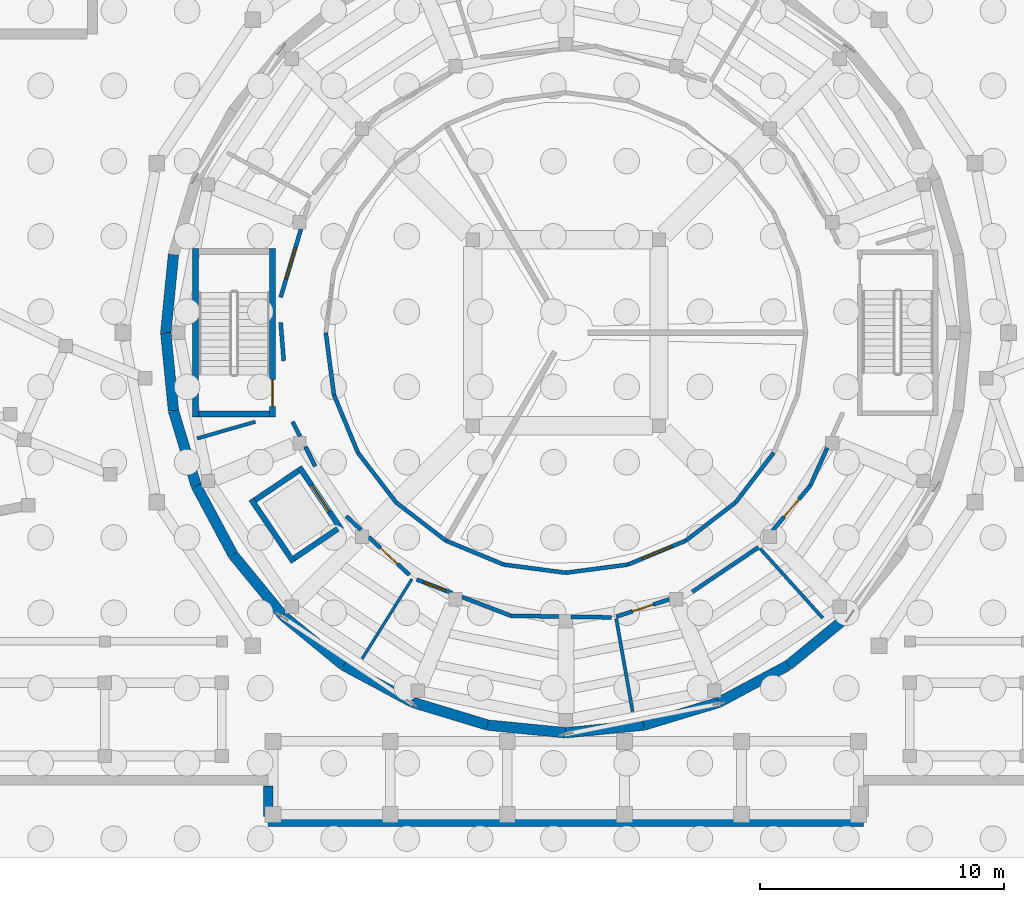
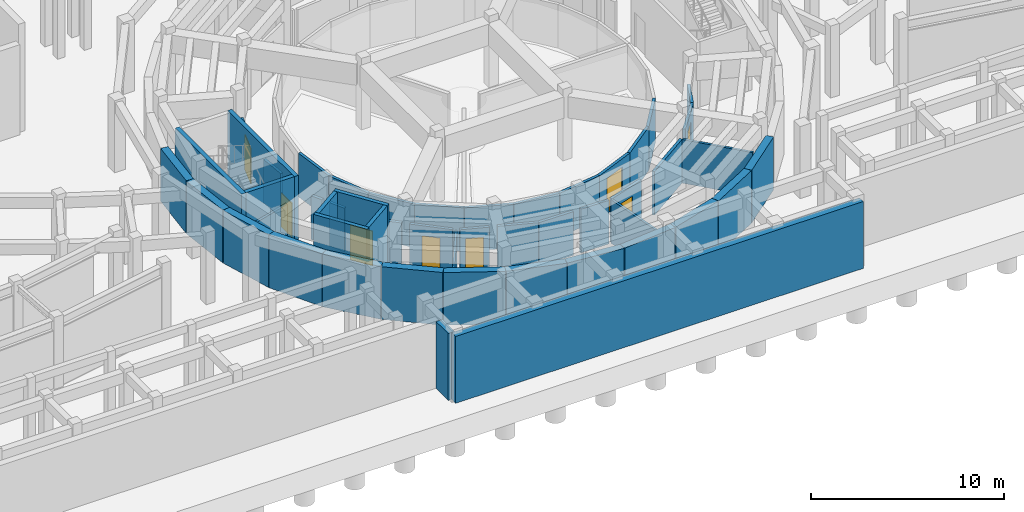
# One storey, part 39 of 57: 50 walls, 8 doors, 8 openings.
"""IFC4 building model written with IfcOpenShell, lengths in metres."""

from ifc_helpers import new_model, si_unit, direction, frame, frame_2d, origin, place, context, subcontext, project, spatial, rectangle, extrude, material, layer, layer_set, type_object, element, fill, save


model = new_model("IFC4")

# Units and contexts
model_context = context("Model", 3, precision=1e-05, world=origin(), true_north=direction((0.0, 1.0)))
body_context = subcontext(model_context, "Body", "Model", "MODEL_VIEW")
ifc_project = project(units=[si_unit("LENGTHUNIT", "METRE"), si_unit("AREAUNIT", "SQUARE_METRE"), si_unit("VOLUMEUNIT", "CUBIC_METRE"), si_unit("PLANEANGLEUNIT", "RADIAN"), si_unit("MASSUNIT", "GRAM", prefix="KILO")], contexts=[model_context])

# Site, building, storey
site_placement = place(None, origin())
site = spatial("IfcSite", under=ifc_project, at=site_placement, CompositionType="ELEMENT")
building_placement = place(site_placement, origin())
building = spatial("IfcBuilding", under=site, at=building_placement, Name="Aldenvaro Health Centre", CompositionType="ELEMENT")
storey_placement = place(building_placement, frame((0.0, 0.0, -4.550048828125)))
storey = spatial("IfcBuildingStorey", under=building, at=storey_placement, Name="B1", CompositionType="ELEMENT", Elevation=-4.550048828125)

# Walls
ifc_material_1 = material(Name="Gypsum Stud Acoustic Assembly")
ifc_layer_1 = layer(ifc_material_1, 0.14501953125, Name="Gypsum Stud Acoustic Assembly")
ifc_layer_set_1 = layer_set([ifc_layer_1], Name="Gypsum Stud Acoustic Assembly")
wall_type_1 = type_object("IfcWallType", Name="WL-CLN-145", PredefinedType="PARTITIONING", material=ifc_layer_set_1)
wall_1_placement = place(storey_placement, frame((74.27099609375, 16.35009765625, 0.0), z_axis=(0.0, 0.0, 1.0), x_axis=(-0.96127114667, -0.275604395065, 0.0)))
element("IfcWall", 1, at=wall_1_placement, inside=storey, type_object=wall_type_1, Name="D1 B1 clinical partition 5.1", PredefinedType="PARTITIONING", context=body_context, shape_type="SweptSolid", body=[
    extrude(rectangle(XDim=2.482177734375, YDim=0.14501953125, at=frame_2d((1.2412109375, 0.0))), origin(), (0.0, 0.0, 1.0), 2.760009765625),
])
ifc_layer_2 = layer(ifc_material_1, 0.1650390625, Name="Gypsum Stud Acoustic Assembly")
ifc_layer_set_2 = layer_set([ifc_layer_2], Name="Gypsum Stud Acoustic Assembly")
wall_type_2 = type_object("IfcWallType", Name="WL-COR-165", PredefinedType="PARTITIONING", material=ifc_layer_set_2)
wall_2_placement = place(storey_placement, frame((77.159912109375, 20.0, 0.0), z_axis=(0.0, 0.0, 1.0), x_axis=(0.130476636685, -0.991451384224, 0.0)))
element("IfcWall", 2, at=wall_2_placement, inside=storey, type_object=wall_type_2, Name="D1 B1 Central Ring Wall 13", PredefinedType="PARTITIONING", context=body_context, shape_type="SweptSolid", body=[
    extrude(rectangle(XDim=2.569091796875, YDim=0.1650390625, at=frame_2d((1.28466796875, 0.0))), origin(), (0.0, 0.0, 1.0), 2.760009765625),
])
wall_3_placement = place(storey_placement, frame((77.4951171875, 17.452880859375, 0.0), z_axis=(0.0, 0.0, 1.0), x_axis=(0.382704397106, -0.923870848353, 0.0)))
element("IfcWall", 3, at=wall_3_placement, inside=storey, type_object=wall_type_2, Name="D1 B1 Central Ring Wall 14", PredefinedType="PARTITIONING", context=body_context, shape_type="SweptSolid", body=[
    extrude(rectangle(XDim=2.568359375, YDim=0.1650390625, at=frame_2d((1.2841796875, 0.0))), origin(), (0.0, 0.0, 1.0), 2.760009765625),
])
for number, where, z_axis, x_axis, name in (
    (4, (78.47802734375, 15.080078125, 0.0), (0.0, 0.0, 1.0), (0.608782621434, -0.793337078322, 0.0), "D1 B1 Central Ring Wall 15"),
    (5, (80.0419921875, 13.0419921875, 0.0), (0.0, 0.0, 1.0), (0.793337078322, -0.608782621434, 0.0), "D1 B1 Central Ring Wall 16"),
):
    element("IfcWall", number, at=place(storey_placement, frame(where, z_axis=z_axis, x_axis=x_axis)), inside=storey, type_object=wall_type_2, Name=name, PredefinedType="PARTITIONING", context=body_context, shape_type="SweptSolid", body=[
        extrude(rectangle(XDim=2.569091796875, YDim=0.1650390625, at=frame_2d((1.28466796875, 0.0))), origin(), (0.0, 0.0, 1.0), 2.760009765625),
    ])
wall_4_placement = place(storey_placement, frame((82.080078125, 11.47802734375, 0.0), z_axis=(0.0, 0.0, 1.0), x_axis=(0.923870848353, -0.382704397106, 0.0)))
element("IfcWall", 6, at=wall_4_placement, inside=storey, type_object=wall_type_2, Name="D1 B1 Central Ring Wall 17", PredefinedType="PARTITIONING", context=body_context, shape_type="SweptSolid", body=[
    extrude(rectangle(XDim=2.568359375, YDim=0.1650390625, at=frame_2d((1.2841796875, 0.0))), origin(), (0.0, 0.0, 1.0), 2.760009765625),
])
for number, where, z_axis, x_axis, name in (
    (7, (84.452880859375, 10.4951171875, 0.0), (0.0, 0.0, 1.0), (0.991451384224, -0.130476636685, 0.0), "D1 B1 Central Ring Wall 18"),
    (8, (87.0, 10.159912109375, 0.0), (0.0, 0.0, 1.0), (0.991451384224, 0.130476636685, 0.0), "D1 B1 Central Ring Wall 19"),
):
    element("IfcWall", number, at=place(storey_placement, frame(where, z_axis=z_axis, x_axis=x_axis)), inside=storey, type_object=wall_type_2, Name=name, PredefinedType="PARTITIONING", context=body_context, shape_type="SweptSolid", body=[
        extrude(rectangle(XDim=2.569091796875, YDim=0.1650390625, at=frame_2d((1.28466796875, 0.0))), origin(), (0.0, 0.0, 1.0), 2.760009765625),
    ])

# Wall, opening, door
wall_5_placement = place(storey_placement, frame((89.547119140625, 10.4951171875, 0.0), z_axis=(0.0, 0.0, 1.0), x_axis=(0.923870848353, 0.382704397106, 0.0)))
wall_5 = element("IfcWall", 9, at=wall_5_placement, inside=storey, type_object=wall_type_2, Name="D1 B1 Central Ring Wall 20", PredefinedType="PARTITIONING", context=body_context, shape_type="SweptSolid", body=[
    extrude(rectangle(XDim=2.568359375, YDim=0.1650390625, at=frame_2d((1.2841796875, 0.0))), origin(), (0.0, 0.0, 1.0), 2.760009765625),
])
opening_1_placement = place(wall_5_placement, frame((0.6240234375, 0.0, 0.0)))
opening_1 = element("IfcOpeningElement", 10, at=opening_1_placement, cuts=wall_5, Name="Opening PD-02", PredefinedType="OPENING", context=body_context, shape_type="SweptSolid", body=[
    extrude(rectangle(XDim=1.320068359375, YDim=2.239990234375, at=frame_2d((0.66015625, 1.1201171875))), frame((0.0, 0.092529296875, 0.0), z_axis=(0.0, -1.0, 0.0), x_axis=(1.0, 0.0, 0.0)), (0.0, 0.0, 1.0), 0.18505859375),
])
ifc_material_2 = material(Name="Double Leaf Plant Equipment Door")
door_type_1 = type_object("IfcDoorType", Name="DR-PLT-02", OperationType="NOTDEFINED", PredefinedType="DOOR", material=ifc_material_2)
door_1_placement = place(opening_1_placement, origin())
door_1 = element("IfcDoor", 11, at=door_1_placement, inside=storey, type_object=door_type_1, Name="Primary Hydronic Plant Door", OperationType="SINGLE_SWING_LEFT", OverallHeight=2.239990234375, OverallWidth=1.320068359375, PredefinedType="DOOR", context=body_context, shape_type="SweptSolid", body=[
    extrude(rectangle(XDim=1.320068359375, YDim=2.239990234375, at=frame_2d((0.66015625, 1.1201171875))), frame((0.0, 0.02490234375, 0.0), z_axis=(0.0, -1.0, 0.0), x_axis=(1.0, 0.0, 0.0)), (0.0, 0.0, 1.0), 0.050048828125),
])
fill(opening_1, door_1)

# Walls
for number, where, z_axis, x_axis, name in (
    (12, (91.919921875, 11.47802734375, 0.0), (0.0, 0.0, 1.0), (0.793337078322, 0.608782621434, 0.0), "D1 B1 Central Ring Wall 21"),
    (13, (93.9580078125, 13.0419921875, 0.0), (0.0, 0.0, 1.0), (0.608782621434, 0.793337078322, 0.0), "D1 B1 Central Ring Wall 22"),
):
    element("IfcWall", number, at=place(storey_placement, frame(where, z_axis=z_axis, x_axis=x_axis)), inside=storey, type_object=wall_type_2, Name=name, PredefinedType="PARTITIONING", context=body_context, shape_type="SweptSolid", body=[
        extrude(rectangle(XDim=2.569091796875, YDim=0.1650390625, at=frame_2d((1.28466796875, 0.0))), origin(), (0.0, 0.0, 1.0), 2.760009765625),
    ])

# Wall, opening, door
wall_6_placement = place(storey_placement, frame((76.14208984375, 24.25, 0.0), z_axis=(0.0, 0.0, 1.0), x_axis=(-0.285319515422, -0.958432456733, 0.0)))
wall_6 = element("IfcWall", 14, at=wall_6_placement, inside=storey, type_object=wall_type_2, Name="D1 B1 corridor wall 04.2", PredefinedType="PARTITIONING", context=body_context, shape_type="SweptSolid", body=[
    extrude(rectangle(XDim=2.916259765625, YDim=0.1650390625, at=frame_2d((1.4580078125, 0.0))), origin(), (0.0, 0.0, 1.0), 2.760009765625),
])
opening_2_placement = place(wall_6_placement, frame((0.798095703125, 0.0, 0.0)))
opening_2 = element("IfcOpeningElement", 15, at=opening_2_placement, cuts=wall_6, Name="Opening PD-02", PredefinedType="OPENING", context=body_context, shape_type="SweptSolid", body=[
    extrude(rectangle(XDim=1.320068359375, YDim=2.239990234375, at=frame_2d((0.66015625, 1.1201171875))), frame((0.0, 0.092529296875, 0.0), z_axis=(0.0, -1.0, 0.0), x_axis=(1.0, 0.0, 0.0)), (0.0, 0.0, 1.0), 0.18505859375),
])
door_2_placement = place(opening_2_placement, origin())
door_2 = element("IfcDoor", 16, at=door_2_placement, inside=storey, type_object=door_type_1, Name="Main Electrical Switchgear Room Door", OperationType="SINGLE_SWING_LEFT", OverallHeight=2.239990234375, OverallWidth=1.320068359375, PredefinedType="DOOR", context=body_context, shape_type="SweptSolid", body=[
    extrude(rectangle(XDim=1.320068359375, YDim=2.239990234375, at=frame_2d((0.66015625, 1.1201171875))), frame((0.0, 0.02490234375, 0.0), z_axis=(0.0, -1.0, 0.0), x_axis=(1.0, 0.0, 0.0)), (0.0, 0.0, 1.0), 0.050048828125),
])
fill(opening_2, door_2)

# Walls
wall_7_placement = place(storey_placement, frame((75.31005859375, 20.419921875, 0.0), z_axis=(0.0, 0.0, 1.0), x_axis=(0.079991678722, -0.996795531358, 0.0)))
element("IfcWall", 17, at=wall_7_placement, inside=storey, type_object=wall_type_2, Name="D1 B1 corridor wall 04.3", PredefinedType="PARTITIONING", context=body_context, shape_type="SweptSolid", body=[
    extrude(rectangle(XDim=1.574951171875, YDim=0.1650390625, at=frame_2d((0.78759765625, 0.0))), origin(), (0.0, 0.0, 1.0), 2.760009765625),
])
wall_8_placement = place(storey_placement, frame((75.801025390625, 16.35009765625, 0.0), z_axis=(0.0, 0.0, 1.0), x_axis=(0.453212137126, -0.891402691695, 0.0)))
element("IfcWall", 18, at=wall_8_placement, inside=storey, type_object=wall_type_2, Name="D1 B1 corridor wall 05.1", PredefinedType="PARTITIONING", context=body_context, shape_type="SweptSolid", body=[
    extrude(rectangle(XDim=0.666259765625, YDim=0.1650390625, at=frame_2d((0.3330078125, 0.0))), origin(), (0.0, 0.0, 1.0), 2.760009765625),
])
wall_9_placement = place(storey_placement, frame((76.319091796875, 15.3310546875, 0.0), z_axis=(0.0, 0.0, 1.0), x_axis=(0.452366842615, -0.891831957099, 0.0)))
element("IfcWall", 19, at=wall_9_placement, inside=storey, type_object=wall_type_2, Name="D1 B1 corridor wall 05.2", PredefinedType="PARTITIONING", context=body_context, shape_type="SweptSolid", body=[
    extrude(rectangle(XDim=0.908203125, YDim=0.1650390625, at=frame_2d((0.4541015625, 0.0))), origin(), (0.0, 0.0, 1.0), 2.760009765625),
])
wall_10_placement = place(storey_placement, frame((77.9970703125, 12.47998046875, 0.0), z_axis=(0.0, 0.0, 1.0), x_axis=(0.732688002882, -0.680564684973, 0.0)))
element("IfcWall", 20, at=wall_10_placement, inside=storey, type_object=wall_type_2, Name="D1 B1 corridor wall 05.3", PredefinedType="PARTITIONING", context=body_context, shape_type="SweptSolid", body=[
    extrude(rectangle(XDim=0.824462890625, YDim=0.1650390625, at=frame_2d((0.412109375, 0.0))), origin(), (0.0, 0.0, 1.0), 2.760009765625),
])

# Wall, opening, door
wall_11_placement = place(storey_placement, frame((78.9208984375, 11.62109375, 0.0), z_axis=(0.0, 0.0, 1.0), x_axis=(0.73211336643, -0.681182808572, 0.0)))
wall_11 = element("IfcWall", 21, at=wall_11_placement, inside=storey, type_object=wall_type_2, Name="D1 B1 corridor wall 05.4", PredefinedType="PARTITIONING", context=body_context, shape_type="SweptSolid", body=[
    extrude(rectangle(XDim=2.27685546875, YDim=0.1650390625, at=frame_2d((1.138427734375, 0.0))), origin(), (0.0, 0.0, 1.0), 2.760009765625),
])
opening_3_placement = place(wall_11_placement, frame((0.658935546875, 0.0, 0.0)))
opening_3 = element("IfcOpeningElement", 22, at=opening_3_placement, cuts=wall_11, Name="Opening D-02", PredefinedType="OPENING", context=body_context, shape_type="SweptSolid", body=[
    extrude(rectangle(XDim=0.9599609375, YDim=2.1201171875, at=frame_2d((0.47998046875, 1.06005859375))), frame((0.0, 0.092529296875, 0.0), z_axis=(0.0, -1.0, 0.0), x_axis=(1.0, 0.0, 0.0)), (0.0, 0.0, 1.0), 0.18505859375),
])
ifc_material_3 = material(Name="Solid Core Acoustic Timber Door", Category="wood")
door_type_2 = type_object("IfcDoorType", Name="DR-CLN-02", OperationType="NOTDEFINED", PredefinedType="DOOR", material=ifc_material_3)
door_3_placement = place(opening_3_placement, origin())
door_3 = element("IfcDoor", 23, at=door_3_placement, inside=storey, type_object=door_type_2, Name="Clinical IT Server Room Door", OperationType="SINGLE_SWING_RIGHT", OverallHeight=2.1201171875, OverallWidth=0.9599609375, PredefinedType="DOOR", context=body_context, shape_type="SweptSolid", body=[
    extrude(rectangle(XDim=0.9599609375, YDim=2.1201171875, at=frame_2d((0.47998046875, 1.06005859375))), frame((0.0, 0.02490234375, 0.0), z_axis=(0.0, -1.0, 0.0), x_axis=(1.0, 0.0, 0.0)), (0.0, 0.0, 1.0), 0.050048828125),
])
fill(opening_3, door_3)

wall_12_placement = place(storey_placement, frame((80.885986328125, 9.884033203125, 0.0), z_axis=(0.0, 0.0, 1.0), x_axis=(0.933175901825, -0.359419999796, 0.0)))
wall_12 = element("IfcWall", 24, at=wall_12_placement, inside=storey, type_object=wall_type_2, Name="D1 B1 corridor wall 06.1", PredefinedType="PARTITIONING", context=body_context, shape_type="SweptSolid", body=[
    extrude(rectangle(XDim=1.558349609375, YDim=0.1650390625, at=frame_2d((0.779296875, 0.0))), origin(), (0.0, 0.0, 1.0), 2.760009765625),
])
opening_4_placement = place(wall_12_placement, frame((0.303955078125, 0.0, 0.0)))
opening_4 = element("IfcOpeningElement", 25, at=opening_4_placement, cuts=wall_12, Name="Opening UD-02", PredefinedType="OPENING", context=body_context, shape_type="SweptSolid", body=[
    extrude(rectangle(XDim=0.949951171875, YDim=2.159912109375, at=frame_2d((0.47509765625, 1.080078125))), frame((0.0, 0.092529296875, 0.0), z_axis=(0.0, -1.0, 0.0), x_axis=(1.0, 0.0, 0.0)), (0.0, 0.0, 1.0), 0.18505859375),
])
ifc_material_4 = material(Name="Sterile Core Supply Door")
door_type_3 = type_object("IfcDoorType", Name="DR-STR-02", OperationType="NOTDEFINED", PredefinedType="DOOR", material=ifc_material_4)
door_4_placement = place(opening_4_placement, origin())
door_4 = element("IfcDoor", 26, at=door_4_placement, inside=storey, type_object=door_type_3, Name="Clinical Linen and Supply Store Door", OperationType="SINGLE_SWING_LEFT", OverallHeight=2.159912109375, OverallWidth=0.949951171875, PredefinedType="DOOR", context=body_context, shape_type="SweptSolid", body=[
    extrude(rectangle(XDim=0.949951171875, YDim=2.159912109375, at=frame_2d((0.47509765625, 1.080078125))), frame((0.0, 0.02490234375, 0.0), z_axis=(0.0, -1.0, 0.0), x_axis=(1.0, 0.0, 0.0)), (0.0, 0.0, 1.0), 0.050048828125),
])
fill(opening_4, door_4)

# Walls
wall_13_placement = place(storey_placement, frame((82.741943359375, 9.1689453125, 0.0), z_axis=(0.0, 0.0, 1.0), x_axis=(0.933107987924, -0.359596277613, 0.0)))
element("IfcWall", 27, at=wall_13_placement, inside=storey, type_object=wall_type_2, Name="D1 B1 corridor wall 06.2", PredefinedType="PARTITIONING", context=body_context, shape_type="SweptSolid", body=[
    extrude(rectangle(XDim=2.146728515625, YDim=0.1650390625, at=frame_2d((1.0732421875, 0.0))), origin(), (0.0, 0.0, 1.0), 2.760009765625),
])
wall_14_placement = place(storey_placement, frame((84.7451171875, 8.39697265625, 0.0), z_axis=(0.0, 0.0, 1.0), x_axis=(0.999870014647, -0.016123083132, 0.0)))
element("IfcWall", 28, at=wall_14_placement, inside=storey, type_object=wall_type_2, Name="D1 B1 corridor wall 06.3", PredefinedType="PARTITIONING", context=body_context, shape_type="SweptSolid", body=[
    extrude(rectangle(XDim=2.044189453125, YDim=0.1650390625, at=frame_2d((1.02197265625, 0.0))), origin(), (0.0, 0.0, 1.0), 2.760009765625),
])
wall_15_placement = place(storey_placement, frame((87.217041015625, 8.35693359375, 0.0), z_axis=(0.0, 0.0, 1.0), x_axis=(0.999869608685, -0.016148239165, 0.0)))
element("IfcWall", 29, at=wall_15_placement, inside=storey, type_object=wall_type_2, Name="D1 B1 corridor wall 06.4", PredefinedType="PARTITIONING", context=body_context, shape_type="SweptSolid", body=[
    extrude(rectangle(XDim=1.6630859375, YDim=0.1650390625, at=frame_2d((0.83154296875, 0.0))), origin(), (0.0, 0.0, 1.0), 2.760009765625),
])

# Wall, opening, door
wall_16_placement = place(storey_placement, frame((89.069091796875, 8.362060546875, 0.0), z_axis=(0.0, 0.0, 1.0), x_axis=(0.950713418435, 0.310070953182, 0.0)))
wall_16 = element("IfcWall", 30, at=wall_16_placement, inside=storey, type_object=wall_type_2, Name="D1 B1 corridor wall 07.1", PredefinedType="PARTITIONING", context=body_context, shape_type="SweptSolid", body=[
    extrude(rectangle(XDim=2.28662109375, YDim=0.1650390625, at=frame_2d((1.143310546875, 0.0))), origin(), (0.0, 0.0, 1.0), 2.760009765625),
])
opening_5_placement = place(wall_16_placement, frame((0.694091796875, 0.0, 0.0)))
opening_5 = element("IfcOpeningElement", 31, at=opening_5_placement, cuts=wall_16, Name="Opening WD-01", PredefinedType="OPENING", context=body_context, shape_type="SweptSolid", body=[
    extrude(rectangle(XDim=0.89990234375, YDim=2.10009765625, at=frame_2d((0.449951171875, 1.050048828125))), frame((0.0, 0.092529296875, 0.0), z_axis=(0.0, -1.0, 0.0), x_axis=(1.0, 0.0, 0.0)), (0.0, 0.0, 1.0), 0.18505859375),
])
ifc_material_5 = material(Name="Moisture-Resistant Laminate Door")
door_type_4 = type_object("IfcDoorType", Name="DR-WC-01", OperationType="NOTDEFINED", PredefinedType="DOOR", material=ifc_material_5)
door_5_placement = place(opening_5_placement, origin())
door_5 = element("IfcDoor", 32, at=door_5_placement, inside=storey, type_object=door_type_4, Name="Male Staff WC and Changing Door", OperationType="SINGLE_SWING_RIGHT", OverallHeight=2.10009765625, OverallWidth=0.89990234375, PredefinedType="DOOR", context=body_context, shape_type="SweptSolid", body=[
    extrude(rectangle(XDim=0.89990234375, YDim=2.10009765625, at=frame_2d((0.449951171875, 1.050048828125))), frame((0.0, 0.02490234375, 0.0), z_axis=(0.0, -1.0, 0.0), x_axis=(1.0, 0.0, 0.0)), (0.0, 0.0, 1.0), 0.050048828125),
])
fill(opening_5, door_5)

# Wall
wall_17_placement = place(storey_placement, frame((92.181884765625, 9.3759765625, 0.0), z_axis=(0.0, 0.0, 1.0), x_axis=(0.829355825357, 0.558720784423, 0.0)))
element("IfcWall", 33, at=wall_17_placement, inside=storey, type_object=wall_type_2, Name="D1 B1 corridor wall 07.2", PredefinedType="PARTITIONING", context=body_context, shape_type="SweptSolid", body=[
    extrude(rectangle(XDim=3.273681640625, YDim=0.1650390625, at=frame_2d((1.63671875, 0.0))), origin(), (0.0, 0.0, 1.0), 2.760009765625),
])

# Wall, opening, door
wall_18_placement = place(storey_placement, frame((95.47998046875, 11.89404296875, 0.0), z_axis=(0.0, 0.0, 1.0), x_axis=(0.642369860946, 0.766394781916, 0.0)))
wall_18 = element("IfcWall", 34, at=wall_18_placement, inside=storey, type_object=wall_type_2, Name="D1 B1 corridor wall 08.1", PredefinedType="PARTITIONING", context=body_context, shape_type="SweptSolid", body=[
    extrude(rectangle(XDim=2.403564453125, YDim=0.1650390625, at=frame_2d((1.20166015625, 0.0))), origin(), (0.0, 0.0, 1.0), 2.760009765625),
])
opening_6_placement = place(wall_18_placement, frame((0.73193359375, 0.0, 0.0)))
opening_6 = element("IfcOpeningElement", 35, at=opening_6_placement, cuts=wall_18, Name="Opening WD-02", PredefinedType="OPENING", context=body_context, shape_type="SweptSolid", body=[
    extrude(rectangle(XDim=0.93994140625, YDim=2.10009765625, at=frame_2d((0.469970703125, 1.050048828125))), frame((0.0, 0.092529296875, 0.0), z_axis=(0.0, -1.0, 0.0), x_axis=(1.0, 0.0, 0.0)), (0.0, 0.0, 1.0), 0.18505859375),
])
ifc_material_6 = material(Name="Accessible Sanitary Laminate Door")
door_type_5 = type_object("IfcDoorType", Name="DR-WC-02", OperationType="NOTDEFINED", PredefinedType="DOOR", material=ifc_material_6)
door_6_placement = place(opening_6_placement, origin())
door_6 = element("IfcDoor", 36, at=door_6_placement, inside=storey, type_object=door_type_5, Name="Female Staff WC and Changing Door", OperationType="SINGLE_SWING_LEFT", OverallHeight=2.10009765625, OverallWidth=0.93994140625, PredefinedType="DOOR", context=body_context, shape_type="SweptSolid", body=[
    extrude(rectangle(XDim=0.93994140625, YDim=2.10009765625, at=frame_2d((0.469970703125, 1.050048828125))), frame((0.0, 0.02490234375, 0.0), z_axis=(0.0, -1.0, 0.0), x_axis=(1.0, 0.0, 0.0)), (0.0, 0.0, 1.0), 0.050048828125),
])
fill(opening_6, door_6)

# Walls
wall_19_placement = place(storey_placement, frame((97.02392578125, 13.736083984375, 0.0), z_axis=(0.0, 0.0, 1.0), x_axis=(0.407299490474, 0.913294654019, 0.0)))
element("IfcWall", 37, at=wall_19_placement, inside=storey, type_object=wall_type_2, Name="D1 B1 corridor wall 08.2", PredefinedType="PARTITIONING", context=body_context, shape_type="SweptSolid", body=[
    extrude(rectangle(XDim=1.697021484375, YDim=0.1650390625, at=frame_2d((0.8486328125, 0.0))), origin(), (0.0, 0.0, 1.0), 2.760009765625),
])
ifc_material_7 = material(Name="Concrete f'c 40 MPa", Category="concrete")
ifc_layer_3 = layer(ifc_material_7, 0.39990234375, Name="Concrete f'c 40 MPa", Category="concrete")
ifc_layer_set_3 = layer_set([ifc_layer_3], Name="Concrete f'c 40 MPa")
wall_type_3 = type_object("IfcWallType", Name="WL-RET-400", PredefinedType="USERDEFINED", material=ifc_layer_set_3)
wall_20_placement = place(storey_placement, frame((74.800048828125, 0.174072265625, 0.0), z_axis=(0.0, 0.0, 1.0), x_axis=(0.0, 1.0, 0.0)))
element("IfcWall", 38, at=wall_20_placement, inside=storey, type_object=wall_type_3, Name="Stepped Foothill Retaining Wall PORT-W-00", ObjectType="RETAININGWALL", PredefinedType="USERDEFINED", context=body_context, shape_type="SweptSolid", body=[
    extrude(rectangle(XDim=1.251953125, YDim=0.39990234375, at=frame_2d((0.6259765625, 0.0))), origin(), (0.0, 0.0, 1.0), 4.22998046875),
])
wall_21_placement = place(storey_placement, frame((74.800048828125, -0.050048828125, 0.0), z_axis=(0.0, 0.0, 1.0), x_axis=(1.0, 0.0, 0.0)))
element("IfcWall", 39, at=wall_21_placement, inside=storey, type_object=wall_type_3, Name="Stepped Foothill Retaining Wall PORT-S-00", ObjectType="RETAININGWALL", PredefinedType="USERDEFINED", context=body_context, shape_type="SweptSolid", body=[
    extrude(rectangle(XDim=24.39990234375, YDim=0.39990234375, at=frame_2d((12.199951171875, 0.0))), origin(), (0.0, 0.0, 1.0), 4.22998046875),
])
ifc_layer_4 = layer(ifc_material_7, 0.429931640625, Name="Concrete f'c 40 MPa", Category="concrete")
ifc_layer_set_4 = layer_set([ifc_layer_4], Name="Concrete f'c 40 MPa")
wall_type_4 = type_object("IfcWallType", Name="WL-RET-430", PredefinedType="USERDEFINED", material=ifc_layer_set_4)
for number, where, z_axis, x_axis, name in (
    (40, (98.596923828125, 8.403076171875, 0.0), (0.0, 0.0, 1.0), (-0.773165020866, -0.634204896314, 0.0), "D1 B1 hillside retaining wall 05"),
    (41, (96.111083984375, 6.364013671875, 0.0), (0.0, 0.0, 1.0), (-0.881835313523, -0.47155750426, 0.0), "D1 B1 hillside retaining wall 06"),
    (42, (93.27587890625, 4.847900390625, 0.0), (0.0, 0.0, 1.0), (-0.956984161567, -0.29014016356, 0.0), "D1 B1 hillside retaining wall 07"),
):
    element("IfcWall", number, at=place(storey_placement, frame(where, z_axis=z_axis, x_axis=x_axis)), inside=storey, type_object=wall_type_4, Name=name, ObjectType="RETAININGWALL", PredefinedType="USERDEFINED", context=body_context, shape_type="SweptSolid", body=[
        extrude(rectangle(XDim=3.215087890625, YDim=0.429931640625, at=frame_2d((1.607421875, 0.0))), origin(), (0.0, 0.0, 1.0), 3.3349609375),
    ])
for number, where, z_axis, x_axis, name in (
    (43, (90.198974609375, 3.9150390625, 0.0), (0.0, 0.0, 1.0), (-0.995188673637, -0.097977057849, 0.0), "D1 B1 hillside retaining wall 08"),
    (44, (87.0, 3.60009765625, 0.0), (0.0, 0.0, 1.0), (-0.995188673637, 0.097977057849, 0.0), "D1 B1 hillside retaining wall 09"),
):
    element("IfcWall", number, at=place(storey_placement, frame(where, z_axis=z_axis, x_axis=x_axis)), inside=storey, type_object=wall_type_4, Name=name, ObjectType="RETAININGWALL", PredefinedType="USERDEFINED", context=body_context, shape_type="SweptSolid", body=[
        extrude(rectangle(XDim=3.21435546875, YDim=0.429931640625, at=frame_2d((1.607177734375, 0.0))), origin(), (0.0, 0.0, 1.0), 3.3349609375),
    ])
for number, where, z_axis, x_axis, name in (
    (45, (83.801025390625, 3.9150390625, 0.0), (0.0, 0.0, 1.0), (-0.956984161567, 0.29014016356, 0.0), "D1 B1 hillside retaining wall 10"),
    (46, (80.72412109375, 4.847900390625, 0.0), (0.0, 0.0, 1.0), (-0.881835313523, 0.47155750426, 0.0), "D1 B1 hillside retaining wall 11"),
    (47, (77.888916015625, 6.364013671875, 0.0), (0.0, 0.0, 1.0), (-0.773165020866, 0.634204896314, 0.0), "D1 B1 hillside retaining wall 12"),
    (48, (75.403076171875, 8.403076171875, 0.0), (0.0, 0.0, 1.0), (-0.634204896314, 0.773165020866, 0.0), "D1 B1 hillside retaining wall 13"),
    (49, (73.364013671875, 10.888916015625, 0.0), (0.0, 0.0, 1.0), (-0.47155750426, 0.881835313523, 0.0), "D1 B1 hillside retaining wall 14"),
    (50, (71.847900390625, 13.72412109375, 0.0), (0.0, 0.0, 1.0), (-0.29014016356, 0.956984161567, 0.0), "D1 B1 hillside retaining wall 15"),
):
    element("IfcWall", number, at=place(storey_placement, frame(where, z_axis=z_axis, x_axis=x_axis)), inside=storey, type_object=wall_type_4, Name=name, ObjectType="RETAININGWALL", PredefinedType="USERDEFINED", context=body_context, shape_type="SweptSolid", body=[
        extrude(rectangle(XDim=3.215087890625, YDim=0.429931640625, at=frame_2d((1.607421875, 0.0))), origin(), (0.0, 0.0, 1.0), 3.3349609375),
    ])
for number, where, z_axis, x_axis, name in (
    (51, (70.9150390625, 16.801025390625, 0.0), (0.0, 0.0, 1.0), (-0.097977057849, 0.995188673637, 0.0), "D1 B1 hillside retaining wall 16"),
    (52, (70.60009765625, 20.0, 0.0), (0.0, 0.0, 1.0), (0.097977057849, 0.995188673637, 0.0), "D1 B1 hillside retaining wall 17"),
):
    element("IfcWall", number, at=place(storey_placement, frame(where, z_axis=z_axis, x_axis=x_axis)), inside=storey, type_object=wall_type_4, Name=name, ObjectType="RETAININGWALL", PredefinedType="USERDEFINED", context=body_context, shape_type="SweptSolid", body=[
        extrude(rectangle(XDim=3.21435546875, YDim=0.429931640625, at=frame_2d((1.607177734375, 0.0))), origin(), (0.0, 0.0, 1.0), 3.3349609375),
    ])

# Wall, opening, door
ifc_layer_5 = layer(ifc_material_7, 0.22509765625, Name="Concrete f'c 40 MPa", Category="concrete")
ifc_layer_set_5 = layer_set([ifc_layer_5], Name="Concrete f'c 40 MPa")
wall_type_5 = type_object("IfcWallType", Name="WL-SHAFT-225", PredefinedType="SHEAR", material=ifc_layer_set_5)
wall_22_placement = place(storey_placement, frame((77.803955078125, 11.927978515625, 0.0), z_axis=(0.0, 0.0, 1.0), x_axis=(-0.559054792443, 0.829130712883, 0.0)))
wall_22 = element("IfcWall", 53, at=wall_22_placement, inside=storey, type_object=wall_type_5, Name="LF-01 B1 lift shaft front wall", PredefinedType="SHEAR", context=body_context, shape_type="SweptSolid", body=[
    extrude(rectangle(XDim=3.099609375, YDim=0.22509765625, at=frame_2d((1.5498046875, 0.0))), origin(), (0.0, 0.0, 1.0), 4.135009765625),
])
opening_7_placement = place(wall_22_placement, frame((0.89990234375, 0.0, 0.0)))
opening_7 = element("IfcOpeningElement", 54, at=opening_7_placement, cuts=wall_22, Name="Opening LD-02", PredefinedType="OPENING", context=body_context, shape_type="SweptSolid", body=[
    extrude(rectangle(XDim=1.300048828125, YDim=2.199951171875, at=frame_2d((0.64990234375, 1.10009765625))), frame((0.0, 0.12255859375, 0.0), z_axis=(0.0, -1.0, 0.0), x_axis=(1.0, 0.0, 0.0)), (0.0, 0.0, 1.0), 0.2451171875),
])
ifc_material_8 = material(Name="Stainless Steel Stretcher Landing Door", Category="steel")
door_type_6 = type_object("IfcDoorType", Name="DR-LIFT-130", OperationType="DOUBLE_DOOR_SLIDING", PredefinedType="DOOR", material=ifc_material_8)
door_7_placement = place(opening_7_placement, origin())
door_7 = element("IfcDoor", 55, at=door_7_placement, inside=storey, type_object=door_type_6, Name="Lift LF-01 B1 Sliding Landing Door", OperationType="DOUBLE_DOOR_SLIDING", OverallHeight=2.199951171875, OverallWidth=1.300048828125, PredefinedType="DOOR", context=body_context, shape_type="SweptSolid", body=[
    extrude(rectangle(XDim=1.300048828125, YDim=2.199951171875, at=frame_2d((0.64990234375, 1.10009765625))), frame((0.0, 0.02490234375, 0.0), z_axis=(0.0, -1.0, 0.0), x_axis=(1.0, 0.0, 0.0)), (0.0, 0.0, 1.0), 0.050048828125),
])
fill(opening_7, door_7)

# Walls
wall_23_placement = place(storey_placement, frame((75.8349609375, 10.60009765625, 0.0), z_axis=(0.0, 0.0, 1.0), x_axis=(-0.559091302934, 0.829106093925, 0.0)))
element("IfcWall", 56, at=wall_23_placement, inside=storey, type_object=wall_type_5, Name="LF-01 B1 lift shaft rear wall", PredefinedType="SHEAR", context=body_context, shape_type="SweptSolid", body=[
    extrude(rectangle(XDim=3.099609375, YDim=0.22509765625, at=frame_2d((1.5498046875, 0.0))), origin(), (0.0, 0.0, 1.0), 4.135009765625),
])
wall_24_placement = place(storey_placement, frame((77.64794921875, 11.9580078125, 0.0), z_axis=(0.0, 0.0, 1.0), x_axis=(-0.829050086962, -0.559174349652, 0.0)))
element("IfcWall", 57, at=wall_24_placement, inside=storey, type_object=wall_type_5, Name="LF-01 B1 lift shaft side wall L", PredefinedType="SHEAR", context=body_context, shape_type="SweptSolid", body=[
    extrude(rectangle(XDim=2.1494140625, YDim=0.22509765625, at=frame_2d((1.07470703125, 0.0))), origin(), (0.0, 0.0, 1.0), 4.135009765625),
])
wall_25_placement = place(storey_placement, frame((76.0400390625, 14.342041015625, 0.0), z_axis=(0.0, 0.0, 1.0), x_axis=(-0.828997430928, -0.559252411274, 0.0)))
element("IfcWall", 58, at=wall_25_placement, inside=storey, type_object=wall_type_5, Name="LF-01 B1 lift shaft side wall R", PredefinedType="SHEAR", context=body_context, shape_type="SweptSolid", body=[
    extrude(rectangle(XDim=2.149658203125, YDim=0.22509765625, at=frame_2d((1.07470703125, 0.0))), origin(), (0.0, 0.0, 1.0), 4.135009765625),
])

# Wall, opening, door
ifc_layer_6 = layer(ifc_material_7, 0.25, Name="Concrete f'c 40 MPa", Category="concrete")
ifc_layer_set_6 = layer_set([ifc_layer_6], Name="Concrete f'c 40 MPa")
wall_type_6 = type_object("IfcWallType", Name="WL-SHAFT-250", PredefinedType="SHEAR", material=ifc_layer_set_6)
wall_26_placement = place(storey_placement, frame((74.97509765625, 16.550048828125, 0.0), z_axis=(0.0, 0.0, 1.0), x_axis=(0.0, 1.0, 0.0)))
wall_26 = element("IfcWall", 59, at=wall_26_placement, inside=storey, type_object=wall_type_6, Name="ST-01 B1 inner core wall", PredefinedType="SHEAR", context=body_context, shape_type="SweptSolid", body=[
    extrude(rectangle(XDim=6.89990234375, YDim=0.25, at=frame_2d((3.449951171875, 0.0))), origin(), (0.0, 0.0, 1.0), 4.135009765625),
])
opening_8_placement = place(wall_26_placement, frame((0.429931640625, 0.0, 0.0)))
opening_8 = element("IfcOpeningElement", 60, at=opening_8_placement, cuts=wall_26, Name="Opening FD-01", PredefinedType="OPENING", context=body_context, shape_type="SweptSolid", body=[
    extrude(rectangle(XDim=1.10009765625, YDim=2.14990234375, at=frame_2d((0.550048828125, 1.074951171875))), frame((0.0, 0.135009765625, 0.0), z_axis=(0.0, -1.0, 0.0), x_axis=(1.0, 0.0, 0.0)), (0.0, 0.0, 1.0), 0.27001953125),
])
ifc_material_9 = material(Name="Fire-Rated Steel Door Assembly", Category="steel")
door_type_7 = type_object("IfcDoorType", Name="DR-STAIR-110", OperationType="NOTDEFINED", PredefinedType="DOOR", material=ifc_material_9)
door_8_placement = place(opening_8_placement, origin())
door_8 = element("IfcDoor", 61, at=door_8_placement, inside=storey, type_object=door_type_7, Name="ST-01 B1 fire stair door", OperationType="SINGLE_SWING_LEFT", OverallHeight=2.14990234375, OverallWidth=1.10009765625, PredefinedType="DOOR", context=body_context, shape_type="SweptSolid", body=[
    extrude(rectangle(XDim=1.10009765625, YDim=2.14990234375, at=frame_2d((0.550048828125, 1.074951171875))), frame((0.0, 0.02490234375, 0.0), z_axis=(0.0, -1.0, 0.0), x_axis=(1.0, 0.0, 0.0)), (0.0, 0.0, 1.0), 0.050048828125),
])
fill(opening_8, door_8)

# Walls
wall_27_placement = place(storey_placement, frame((71.824951171875, 16.550048828125, 0.0), z_axis=(0.0, 0.0, 1.0), x_axis=(0.0, 1.0, 0.0)))
element("IfcWall", 62, at=wall_27_placement, inside=storey, type_object=wall_type_6, Name="ST-01 B1 far core wall", PredefinedType="SHEAR", context=body_context, shape_type="SweptSolid", body=[
    extrude(rectangle(XDim=6.89990234375, YDim=0.25, at=frame_2d((3.449951171875, 0.0))), origin(), (0.0, 0.0, 1.0), 4.135009765625),
])
wall_28_placement = place(storey_placement, frame((74.85009765625, 16.675048828125, 0.0), z_axis=(0.0, 0.0, 1.0), x_axis=(-1.0, 0.0, 0.0)))
element("IfcWall", 63, at=wall_28_placement, inside=storey, type_object=wall_type_6, Name="ST-01 B1 side core wall L", PredefinedType="SHEAR", context=body_context, shape_type="SweptSolid", body=[
    extrude(rectangle(XDim=2.900146484375, YDim=0.25, at=frame_2d((1.4501953125, 0.0))), origin(), (0.0, 0.0, 1.0), 4.135009765625),
])
ifc_material_10 = material(Name="Light Gauge Steel Stud Partition", Category="steel")
ifc_layer_7 = layer(ifc_material_10, 0.114990234375, Name="Light Gauge Steel Stud Partition", Category="steel")
ifc_layer_set_7 = layer_set([ifc_layer_7], Name="Light Gauge Steel Stud Partition")
wall_type_7 = type_object("IfcWallType", Name="WL-SUB-115", PredefinedType="PARTITIONING", material=ifc_layer_set_7)
wall_29_placement = place(storey_placement, frame((80.69189453125, 9.906005859375, 0.0), z_axis=(0.0, 0.0, 1.0), x_axis=(-0.529850951132, -0.848090779094, 0.0)))
element("IfcWall", 64, at=wall_29_placement, inside=storey, type_object=wall_type_7, Name="D1 B1 clinical partition 6.1", PredefinedType="PARTITIONING", context=body_context, shape_type="SweptSolid", body=[
    extrude(rectangle(XDim=3.855712890625, YDim=0.114990234375, at=frame_2d((1.927734375, 0.0))), origin(), (0.0, 0.0, 1.0), 2.760009765625),
])
ifc_material_11 = material(Name="Moisture-Resistant Plumbing Stud Wall")
ifc_layer_8 = layer(ifc_material_11, 0.135009765625, Name="Moisture-Resistant Plumbing Stud Wall")
ifc_layer_set_8 = layer_set([ifc_layer_8], Name="Moisture-Resistant Plumbing Stud Wall")
wall_type_8 = type_object("IfcWallType", Name="WL-WET-135", PredefinedType="PLUMBINGWALL", material=ifc_layer_set_8)
wall_30_placement = place(storey_placement, frame((89.06689453125, 8.278076171875, 0.0), z_axis=(0.0, 0.0, 1.0), x_axis=(0.173608798187, -0.984814695865, 0.0)))
element("IfcWall", 65, at=wall_30_placement, inside=storey, type_object=wall_type_8, Name="D1 B1 clinical partition 7.1", PredefinedType="PLUMBINGWALL", context=body_context, shape_type="SweptSolid", body=[
    extrude(rectangle(XDim=3.86572265625, YDim=0.135009765625, at=frame_2d((1.932861328125, 0.0))), origin(), (0.0, 0.0, 1.0), 2.760009765625),
])
wall_31_placement = place(storey_placement, frame((94.965087890625, 11.154052734375, 0.0), z_axis=(0.0, 0.0, 1.0), x_axis=(0.66908430845, -0.74318650969, 0.0)))
element("IfcWall", 66, at=wall_31_placement, inside=storey, type_object=wall_type_8, Name="D1 B1 clinical partition 8.1", PredefinedType="PLUMBINGWALL", context=body_context, shape_type="SweptSolid", body=[
    extrude(rectangle(XDim=3.8349609375, YDim=0.135009765625, at=frame_2d((1.91748046875, 0.0))), origin(), (0.0, 0.0, 1.0), 2.760009765625),
])

save(model, "model.ifc")
